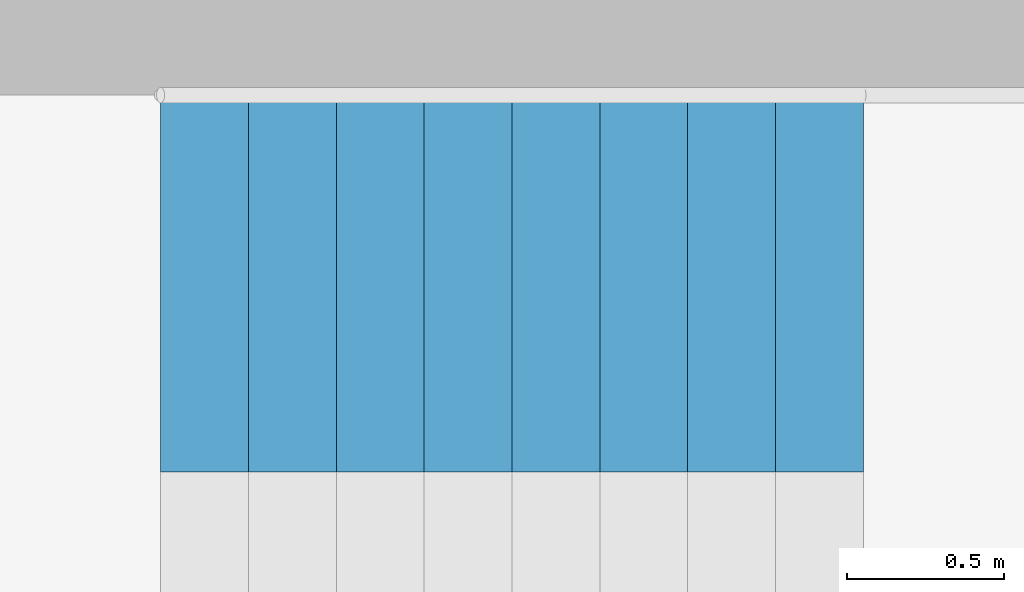
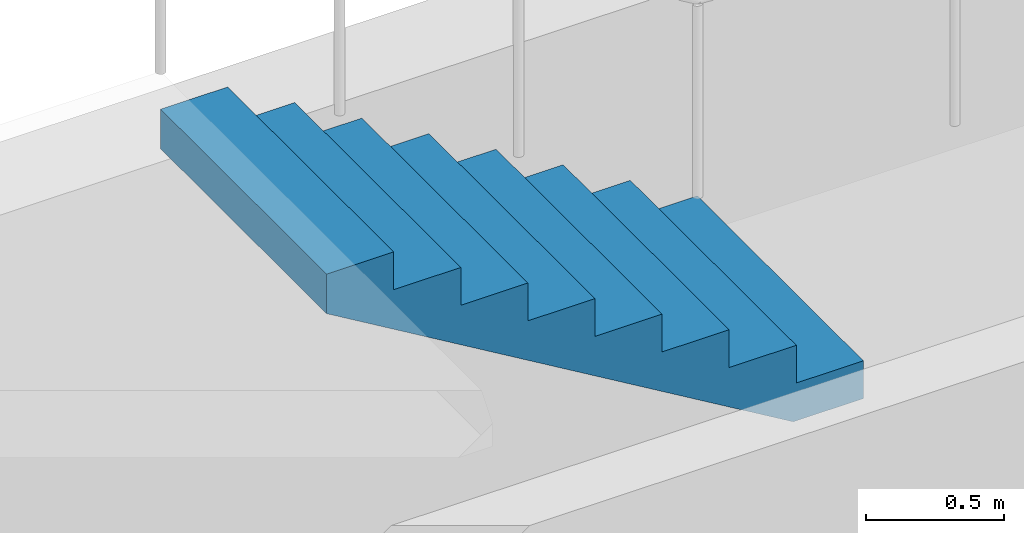
# One storey, part 9 of 11: 1 stair flight, 1 element without a shape of its own.
"""IFC4 building model written with IfcOpenShell, lengths in metres."""

from ifc_helpers import new_model, si_unit, direction, frame, origin, place, context, subcontext, project, spatial, polyline, outline, extrude, material, type_object, element, aggregate, save


model = new_model("IFC4")

# Units and contexts
model_context = context("Model", 3, precision=1e-05, world=origin(), true_north=direction((0.0, 1.0)))
body_context = subcontext(model_context, "Body", "Model", "MODEL_VIEW")
ifc_project = project(units=[si_unit("LENGTHUNIT", "METRE"), si_unit("AREAUNIT", "SQUARE_METRE"), si_unit("VOLUMEUNIT", "CUBIC_METRE"), si_unit("PLANEANGLEUNIT", "RADIAN"), si_unit("MASSUNIT", "GRAM", prefix="KILO")], contexts=[model_context])

# Site, building, storey
site_placement = place(None, origin())
site = spatial("IfcSite", under=ifc_project, at=site_placement, CompositionType="ELEMENT")
building_placement = place(site_placement, origin())
building = spatial("IfcBuilding", under=site, at=building_placement, Name="Fustian Cross Tower", CompositionType="ELEMENT")
storey_placement = place(building_placement, frame((0.0, 0.0, 170.699951171875)))
storey = spatial("IfcBuildingStorey", under=building, at=storey_placement, Name="L53", CompositionType="ELEMENT", Elevation=170.699951171875)

# Stair, stair flight
ifc_material_1 = material(Name="Concrete C50/60", Category="concrete")
stair_type = type_object("IfcStairType", Name="STAIR 1200 HALF TURN", PredefinedType="HALF_TURN_STAIR", material=ifc_material_1)
stair_placement = place(storey_placement, origin())
stair = element("IfcStair", 1, at=stair_placement, inside=storey, type_object=stair_type, Name="Stair ST1", PredefinedType="HALF_TURN_STAIR")
ifc_material_2 = material(Name="Concrete C50/60", Category="concrete")
stair_flight_type = type_object("IfcStairFlightType", Name="STAIR FLIGHT 1200", PredefinedType="STRAIGHT", material=ifc_material_2)
stair_flight_placement = place(storey_placement, frame((17.590087890625, 6.199951171875, 1.5), z_axis=(0.0, 0.0, 1.0), x_axis=(-1.0, 0.0, 0.0)))
stair_flight = element("IfcStairFlight", 2, at=stair_flight_placement, type_object=stair_flight_type, Name="ST1 flight 2", NumberOfRisers=9, NumberOfTreads=8, PredefinedType="STRAIGHT", RiserHeight=0.166666667, TreadLength=0.28, context=body_context, shape_type="SweptSolid", body=[
    extrude(outline(polyline([(0.0, 0.0), (0.0, 0.166748046875), (0.280029296875, 0.166748046875), (0.280029296875, 0.333251953125), (0.56005859375, 0.333251953125), (0.56005859375, 0.5), (0.840087890625, 0.5), (0.840087890625, 0.666748046875), (1.1201171875, 0.666748046875), (1.1201171875, 0.833251953125), (1.39990234375, 0.833251953125), (1.39990234375, 1.0), (1.679931640625, 1.0), (1.679931640625, 1.166748046875), (1.9599609375, 1.166748046875), (1.9599609375, 1.333251953125), (2.239990234375, 1.333251953125), (2.239990234375, 1.5), (2.239990234375, 1.158935546875), (0.29296875, 0.0), (0.0, 0.0)])), frame((0.0, 0.60009765625, 0.0), z_axis=(0.0, -1.0, 0.0), x_axis=(1.0, 0.0, 0.0)), (0.0, 0.0, 1.0), 1.199951171875),
])
aggregate(stair, [stair_flight])

save(model, "model.ifc")
